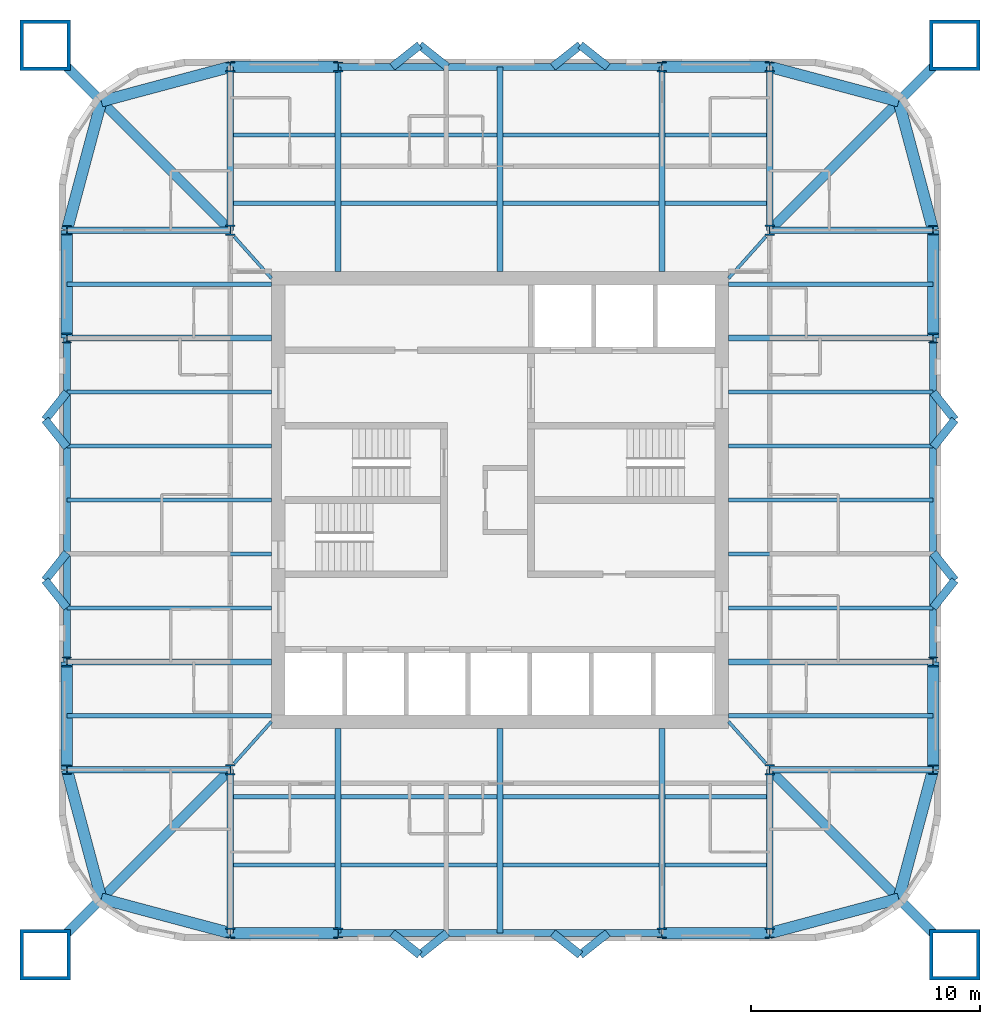
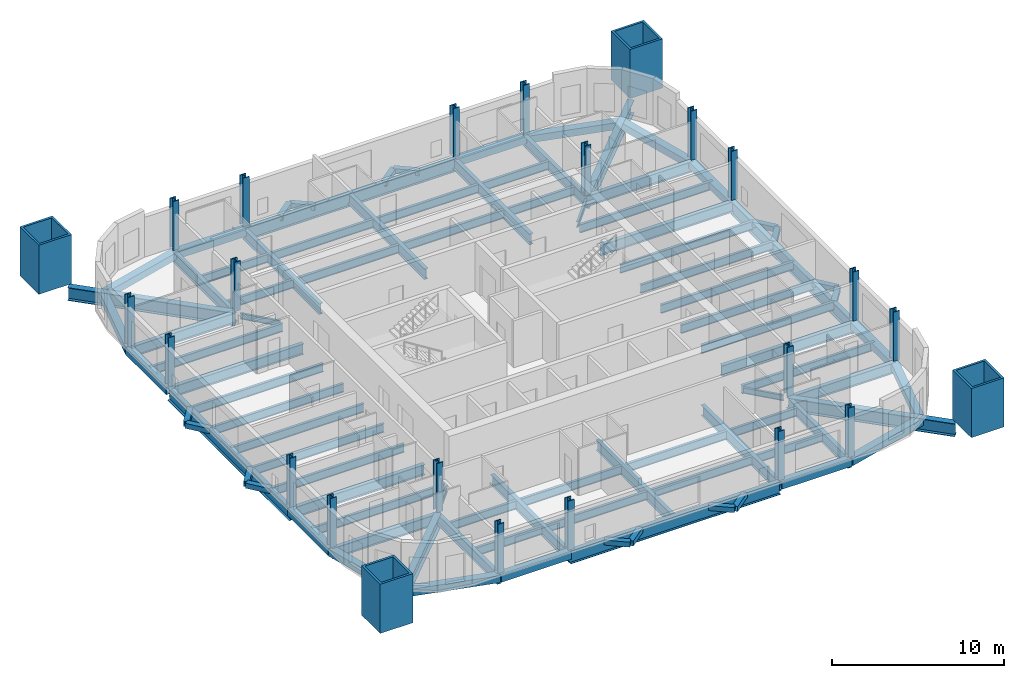
# One storey, part 1 of 8: 92 beams, 24 columns.
"""IFC4 building model written with IfcOpenShell, lengths in metres."""

import ifcopenshell
import ifcopenshell.guid

model = None  # the IFC model being written
_history = None  # IfcOwnerHistory: only IFC2X3 demands one
_inside = {}  # id of a spatial element -> (the spatial element, [elements in it])
_under = {}  # id of a project, library or spatial element -> (it, [spatial elements below it])
_declared = {}  # id of a project -> (the project, [libraries it declares])
_typed = {}  # id of a type object -> (the type object, [elements of that type])
_made_of = {}  # id of a material, layer set ... -> (it, [elements and type objects made of it])


def new_model(schema):
    """Start an empty IFC model of exactly this schema.

    Asked for "IFC4X3", IfcOpenShell would pick the latest addendum, in which some entities
    have other attributes; the version numbers below select the first issue.
    IFC2X3 requires an IfcOwnerHistory on every rooted entity: one is made here for all.
    """
    global model, _history
    if schema == "IFC4X3":
        model = ifcopenshell.file(schema_version=(4, 3, 0, 0))
    else:
        model = ifcopenshell.file(schema=schema)
    _inside.clear()
    _under.clear()
    _declared.clear()
    _typed.clear()
    _made_of.clear()
    _history = None
    if model.schema == "IFC2X3":
        org = make("IfcOrganization", Name="unknown")
        user = make(
            "IfcPersonAndOrganization",
            ThePerson=make("IfcPerson", FamilyName="unknown"),
            TheOrganization=org,
        )
        app = make(
            "IfcApplication",
            ApplicationDeveloper=org,
            Version="unknown",
            ApplicationFullName="unknown",
            ApplicationIdentifier="unknown",
        )
        _history = make(
            "IfcOwnerHistory",
            OwningUser=user,
            OwningApplication=app,
            ChangeAction="ADDED",
            CreationDate=0,
        )
    return model


def make(cls, **values):
    """One entity of the class cls with the attributes given. An attribute that is None is left unset."""
    return model.create_entity(
        cls, **{name: value for name, value in values.items() if value is not None}
    )


def rooted(cls, **values):
    """An entity with a GlobalId (a new one), such as an element, a storey or a relation."""
    return make(cls, GlobalId=ifcopenshell.guid.new(), OwnerHistory=_history, **values)


def si_unit(unit_type, name, prefix=None):
    """IfcSIUnit, for example si_unit("LENGTHUNIT", "METRE", prefix="MILLI")."""
    return make("IfcSIUnit", UnitType=unit_type, Prefix=prefix, Name=name)


def assignment(units):
    """IfcUnitAssignment: the units of a project."""
    return None if units is None else make("IfcUnitAssignment", Units=units)


def point(xyz):
    """IfcCartesianPoint."""
    return None if xyz is None else make("IfcCartesianPoint", Coordinates=xyz)


def direction(xyz):
    """IfcDirection."""
    return None if xyz is None else make("IfcDirection", DirectionRatios=xyz)


def frame(location, z_axis=None, x_axis=None):
    """IfcAxis2Placement3D, a coordinate frame: its origin and axes. An axis left out is left unset."""
    return make(
        "IfcAxis2Placement3D",
        Location=point(location),
        Axis=direction(z_axis),
        RefDirection=direction(x_axis),
    )


def frame_2d(location, x_axis=None):
    """IfcAxis2Placement2D, a coordinate frame in the plane: its origin and x axis."""
    return make(
        "IfcAxis2Placement2D", Location=point(location), RefDirection=direction(x_axis)
    )


def origin():
    """The frame at (0, 0, 0) with its axes left unset."""
    return frame((0.0, 0.0, 0.0))


def origin_2d():
    """The frame at (0, 0) in the plane with its x axis left unset."""
    return frame_2d((0.0, 0.0))


def place(relative_to, where):
    """IfcLocalPlacement: puts the frame where relative to a parent placement (None: the world)."""
    return make(
        "IfcLocalPlacement", PlacementRelTo=relative_to, RelativePlacement=where
    )


def context(
    kind, dimensions, precision=None, world=None, true_north=None, identifier=None
):
    """IfcGeometricRepresentationContext, for example the 3D "Model" context."""
    return make(
        "IfcGeometricRepresentationContext",
        ContextIdentifier=identifier,
        ContextType=kind,
        CoordinateSpaceDimension=dimensions,
        Precision=precision,
        WorldCoordinateSystem=world,
        TrueNorth=true_north,
    )


def subcontext(parent, identifier, kind, view, scale=None):
    """IfcGeometricRepresentationSubContext, for example "Body" below "Model"."""
    return make(
        "IfcGeometricRepresentationSubContext",
        ContextIdentifier=identifier,
        ContextType=kind,
        ParentContext=parent,
        TargetScale=scale,
        TargetView=view,
    )


def project(units=None, contexts=None):
    """IfcProject with its units and contexts."""
    return rooted(
        "IfcProject",
        Name="project",
        RepresentationContexts=contexts,
        UnitsInContext=assignment(units),
    )


def spatial(cls, under=None, at=None, **own):
    """A site, building, storey or space (cls), placed at a placement, below another one or the project."""
    s = rooted(cls, ObjectPlacement=at, **own)
    if under is not None:
        _under.setdefault(under.id(), (under, []))[1].append(s)
    return s


def profile(cls, at=None, kind="AREA", **sizes):
    """A parametric profile (cls). Its sizes go by their IFC names, for example OverallWidth=200.0."""
    return make(cls, ProfileType=kind, Position=at, **sizes)


def hollow_rectangle(**sizes):
    """IfcRectangleHollowProfileDef."""
    return profile("IfcRectangleHollowProfileDef", **sizes)


def i_section(**sizes):
    """IfcIShapeProfileDef."""
    return profile("IfcIShapeProfileDef", **sizes)


def extrude(swept, where, along, depth):
    """IfcExtrudedAreaSolid: the profile swept, set in the frame where, extruded along a direction by depth."""
    return make(
        "IfcExtrudedAreaSolid",
        SweptArea=swept,
        Position=where,
        ExtrudedDirection=direction(along),
        Depth=depth,
    )


def shape(context_of_items, identifier, shape_type, items):
    """IfcShapeRepresentation: the items that make up one representation, for example the "Body"."""
    return make(
        "IfcShapeRepresentation",
        ContextOfItems=context_of_items,
        RepresentationIdentifier=identifier,
        RepresentationType=shape_type,
        Items=items,
    )


def material(Name=None, Category=None):
    """IfcMaterial."""
    return make("IfcMaterial", Name=Name, Category=Category)


def material_profile(
    of_material, cross_section, Name=None, Category=None, Priority=None
):
    """IfcMaterialProfile: a cross section and its material."""
    return make(
        "IfcMaterialProfile",
        Name=Name,
        Material=of_material,
        Profile=cross_section,
        Priority=Priority,
        Category=Category,
    )


def profile_set(profiles, Name=None, composite=None):
    """IfcMaterialProfileSet."""
    return make(
        "IfcMaterialProfileSet",
        Name=Name,
        MaterialProfiles=profiles,
        CompositeProfile=composite,
    )


def made_of(thing, what):
    """Note that an element or type object is made of a material, layer set ...; save() writes the relation."""
    if what is not None:
        _made_of.setdefault(what.id(), (what, []))[1].append(thing)
    return thing


def type_object(cls, material=None, **own):
    """A type object (cls), such as IfcWallType, which elements share."""
    return made_of(rooted(cls, **own), material)


def element(
    cls,
    number,
    at=None,
    inside=None,
    cuts=None,
    type_object=None,
    material=None,
    context=None,
    identifier="Body",
    shape_type=None,
    held_by="IfcProductDefinitionShape",
    body=None,
    shapes=None,
    **own,
):
    """One element of the class cls, such as IfcWall. Its Tag is "e" and its number.

    at: its placement. inside: the storey or other place that contains it. cuts: it is an
    opening in that element (IfcRelVoidsElement). A single representation is given by context,
    identifier, shape_type and body (its items); several are given by shapes. held_by: the class
    of the entity that holds the representations. save() writes the other relations.
    """
    e = rooted(cls, Tag="e%d" % number, ObjectPlacement=at, **own)
    if body is not None:
        shapes = [shape(context, identifier, shape_type, body)]
    if shapes is not None:
        e.Representation = make(held_by, Representations=shapes)
    if inside is not None:
        _inside.setdefault(inside.id(), (inside, []))[1].append(e)
    if cuts is not None:
        rooted(
            "IfcRelVoidsElement", RelatingBuildingElement=cuts, RelatedOpeningElement=e
        )
    if type_object is not None:
        _typed.setdefault(type_object.id(), (type_object, []))[1].append(e)
    return made_of(e, material)


def aggregate(whole, parts):
    """IfcRelAggregates: a whole, such as a stair, and the parts it consists of."""
    return rooted("IfcRelAggregates", RelatingObject=whole, RelatedObjects=parts)


def save(model, path):
    """Write the relations noted so far, then the file.

    IfcRelAggregates (storeys below a building ...), IfcRelContainedInSpatialStructure (elements
    in a storey), IfcRelDefinesByType, IfcRelAssociatesMaterial and IfcRelDeclares: one each for
    every whole, place, type object, material and project.
    """
    for whole, parts in _under.values():
        aggregate(whole, parts)
    for where, things in _inside.values():
        rooted(
            "IfcRelContainedInSpatialStructure",
            RelatedElements=things,
            RelatingStructure=where,
        )
    for kind, things in _typed.values():
        rooted("IfcRelDefinesByType", RelatedObjects=things, RelatingType=kind)
    for what, things in _made_of.values():
        rooted("IfcRelAssociatesMaterial", RelatedObjects=things, RelatingMaterial=what)
    for by, libraries in _declared.values():
        rooted("IfcRelDeclares", RelatingContext=by, RelatedDefinitions=libraries)
    model.write(path)


model = new_model("IFC4")

# Units and contexts
model_context = context("Model", 3, precision=1e-05, world=origin(), true_north=direction((0.0, 1.0)))
body_context = subcontext(model_context, "Body", "Model", "MODEL_VIEW")
ifc_project = project(units=[si_unit("LENGTHUNIT", "METRE"), si_unit("AREAUNIT", "SQUARE_METRE"), si_unit("VOLUMEUNIT", "CUBIC_METRE"), si_unit("PLANEANGLEUNIT", "RADIAN"), si_unit("MASSUNIT", "GRAM", prefix="KILO")], contexts=[model_context])

# Site, building, storey
site_placement = place(None, origin())
site = spatial("IfcSite", under=ifc_project, at=site_placement, CompositionType="ELEMENT")
building_placement = place(site_placement, origin())
building = spatial("IfcBuilding", under=site, at=building_placement, Name="Turquesa Mirador Hotel Tower", CompositionType="ELEMENT")
storey_placement = place(building_placement, frame((0.0, 0.0, 196.800048828125)))
storey = spatial("IfcBuildingStorey", under=building, at=storey_placement, Name="L53", CompositionType="ELEMENT", Elevation=196.800048828125)

# Columns
ifc_material_1 = material(Name="Steel ASTM A992 Grade 50", Category="steel")
ifc_material_profile_1 = material_profile(ifc_material_1, i_section(OverallWidth=0.411376953125, OverallDepth=0.434326171875, WebThickness=0.035888671875, FlangeThickness=0.057373046875, at=origin_2d()), Name="W14X311")
ifc_profile_set_1 = profile_set([ifc_material_profile_1], Name="Steel ASTM A992 Grade 50")
column_type_1 = type_object("IfcColumnType", Name="COLUMN W14X311", PredefinedType="COLUMN", material=ifc_profile_set_1)
for number, where, z_axis, x_axis, name in (
    (1, (36.050048828125, 33.199951171875, 0.0), (0.0, 0.0, 1.0), (1.0, 0.0, 0.0), "COL-L53-P--18.95--11.80"),
    (2, (36.050048828125, 37.919921875, 0.0), (0.0, 0.0, 1.0), (1.0, 0.0, 0.0), "COL-L53-P--18.95--7.08"),
    (3, (36.050048828125, 52.080078125, 0.0), (0.0, 0.0, 1.0), (1.0, 0.0, 0.0), "COL-L53-P--18.95-+7.08"),
    (4, (36.050048828125, 56.800048828125, 0.0), (0.0, 0.0, 1.0), (1.0, 0.0, 0.0), "COL-L53-P--18.95-+11.80"),
    (5, (43.199951171875, 26.050048828125, 0.0), (0.0, 0.0, 1.0), (1.0, 0.0, 0.0), "COL-L53-P--11.80--18.95"),
    (6, (43.199951171875, 63.949951171875, 0.0), (0.0, 0.0, 1.0), (1.0, 0.0, 0.0), "COL-L53-P--11.80-+18.95"),
    (7, (47.919921875, 26.050048828125, 0.0), (0.0, 0.0, 1.0), (1.0, 0.0, 0.0), "COL-L53-P--7.08--18.95"),
    (8, (47.919921875, 63.949951171875, 0.0), (0.0, 0.0, 1.0), (1.0, 0.0, 0.0), "COL-L53-P--7.08-+18.95"),
    (9, (62.080078125, 26.050048828125, 0.0), (0.0, 0.0, 1.0), (1.0, 0.0, 0.0), "COL-L53-P-+7.08--18.95"),
    (10, (62.080078125, 63.949951171875, 0.0), (0.0, 0.0, 1.0), (1.0, 0.0, 0.0), "COL-L53-P-+7.08-+18.95"),
    (11, (66.800048828125, 26.050048828125, 0.0), (0.0, 0.0, 1.0), (1.0, 0.0, 0.0), "COL-L53-P-+11.80--18.95"),
    (12, (66.800048828125, 63.949951171875, 0.0), (0.0, 0.0, 1.0), (1.0, 0.0, 0.0), "COL-L53-P-+11.80-+18.95"),
    (13, (73.949951171875, 33.199951171875, 0.0), (0.0, 0.0, 1.0), (1.0, 0.0, 0.0), "COL-L53-P-+18.95--11.80"),
    (14, (73.949951171875, 37.919921875, 0.0), (0.0, 0.0, 1.0), (1.0, 0.0, 0.0), "COL-L53-P-+18.95--7.08"),
    (15, (73.949951171875, 52.080078125, 0.0), (0.0, 0.0, 1.0), (1.0, 0.0, 0.0), "COL-L53-P-+18.95-+7.08"),
    (16, (73.949951171875, 56.800048828125, 0.0), (0.0, 0.0, 1.0), (1.0, 0.0, 0.0), "COL-L53-P-+18.95-+11.80"),
):
    element("IfcColumn", number, at=place(storey_placement, frame(where, z_axis=z_axis, x_axis=x_axis)), inside=storey, type_object=column_type_1, Name=name, PredefinedType="COLUMN", context=body_context, shape_type="SweptSolid", body=[
        extrude(i_section(OverallWidth=0.411376953125, OverallDepth=0.434326171875, WebThickness=0.035888671875, FlangeThickness=0.057373046875, at=origin_2d()), origin(), (0.0, 0.0, 1.0), 3.5),
    ])
ifc_material_2 = material(Name="Steel ASTM A992 Grade 50", Category="steel")
ifc_material_profile_2 = material_profile(ifc_material_2, i_section(OverallWidth=0.421630859375, OverallDepth=0.46484375, WebThickness=0.044921875, FlangeThickness=0.072509765625, at=origin_2d()), Name="W14X398")
ifc_profile_set_2 = profile_set([ifc_material_profile_2], Name="Steel ASTM A992 Grade 50")
column_type_2 = type_object("IfcColumnType", Name="COLUMN W14X398", PredefinedType="COLUMN", material=ifc_profile_set_2)
for number, where, z_axis, x_axis, name in (
    (17, (43.199951171875, 33.199951171875, 0.0), (0.0, 0.0, 1.0), (1.0, 0.0, 0.0), "COL-L53-K--11.80--11.80"),
    (18, (43.199951171875, 56.800048828125, 0.0), (0.0, 0.0, 1.0), (1.0, 0.0, 0.0), "COL-L53-K--11.80-+11.80"),
    (19, (66.800048828125, 33.199951171875, 0.0), (0.0, 0.0, 1.0), (1.0, 0.0, 0.0), "COL-L53-K-+11.80--11.80"),
    (20, (66.800048828125, 56.800048828125, 0.0), (0.0, 0.0, 1.0), (1.0, 0.0, 0.0), "COL-L53-K-+11.80-+11.80"),
):
    element("IfcColumn", number, at=place(storey_placement, frame(where, z_axis=z_axis, x_axis=x_axis)), inside=storey, type_object=column_type_2, Name=name, PredefinedType="COLUMN", context=body_context, shape_type="SweptSolid", body=[
        extrude(i_section(OverallWidth=0.421630859375, OverallDepth=0.46484375, WebThickness=0.044921875, FlangeThickness=0.072509765625, at=origin_2d()), origin(), (0.0, 0.0, 1.0), 3.5),
    ])
ifc_material_3 = material(Name="Steel ASTM A514 Grade Q", Category="steel")
ifc_material_profile_3 = material_profile(ifc_material_3, hollow_rectangle(XDim=2.199951171875, YDim=2.199951171875, WallThickness=0.14990234375, at=origin_2d()), Name="BOX2200X2200X150")
ifc_profile_set_3 = profile_set([ifc_material_profile_3], Name="Steel ASTM A514 Grade Q")
column_type_3 = type_object("IfcColumnType", Name="MEGA COLUMN BOX2200X2200X150", PredefinedType="COLUMN", material=ifc_profile_set_3)
for number, where, z_axis, x_axis, name in (
    (21, (74.89990234375, 64.89990234375, 0.0), (0.0, 0.0, 1.0), (1.0, 0.0, 0.0), "Mega column M1"),
    (22, (35.10009765625, 64.89990234375, 0.0), (0.0, 0.0, 1.0), (1.0, 0.0, 0.0), "Mega column M2"),
    (23, (35.10009765625, 25.10009765625, 0.0), (0.0, 0.0, 1.0), (1.0, 0.0, 0.0), "Mega column M3"),
    (24, (74.89990234375, 25.10009765625, 0.0), (0.0, 0.0, 1.0), (1.0, 0.0, 0.0), "Mega column M4"),
):
    element("IfcColumn", number, at=place(storey_placement, frame(where, z_axis=z_axis, x_axis=x_axis)), inside=storey, type_object=column_type_3, Name=name, PredefinedType="COLUMN", context=body_context, shape_type="SweptSolid", body=[
        extrude(hollow_rectangle(XDim=2.199951171875, YDim=2.199951171875, WallThickness=0.14990234375, at=origin_2d()), origin(), (0.0, 0.0, 1.0), 3.5),
    ])

# Beams
ifc_material_4 = material(Name="Steel ASTM A572 Grade 50", Category="steel")
ifc_material_profile_4 = material_profile(ifc_material_4, hollow_rectangle(XDim=0.5, YDim=0.5, WallThickness=0.01611328125, at=origin_2d()), Name="BOX500X500X16")
ifc_profile_set_4 = profile_set([ifc_material_profile_4], Name="Steel ASTM A572 Grade 50")
beam_type_1 = type_object("IfcBeamType", Name="BEAM BOX500X500X16", PredefinedType="BEAM", material=ifc_profile_set_4)
for number, where, z_axis, x_axis, name in (
    (25, (43.199951171875, 63.949951171875, -0.420166015625), (1.0, 0.0, 0.0), (0.0, 1.0, 0.0), "EB-L53-N-L"),
    (26, (62.080078125, 63.949951171875, -0.420166015625), (1.0, 0.0, 0.0), (0.0, 1.0, 0.0), "EB-L53-N-R"),
    (27, (43.199951171875, 26.050048828125, -0.420166015625), (1.0, 0.0, 0.0), (0.0, 1.0, 0.0), "EB-L53-S-L"),
    (28, (62.080078125, 26.050048828125, -0.420166015625), (1.0, 0.0, 0.0), (0.0, 1.0, 0.0), "EB-L53-S-R"),
    (29, (73.949951171875, 33.199951171875, -0.420166015625), (0.0, 1.0, 0.0), (-1.0, 0.0, 0.0), "EB-L53-E-L"),
    (30, (73.949951171875, 52.080078125, -0.420166015625), (0.0, 1.0, 0.0), (-1.0, 0.0, 0.0), "EB-L53-E-R"),
    (31, (36.050048828125, 33.199951171875, -0.420166015625), (0.0, 1.0, 0.0), (-1.0, 0.0, 0.0), "EB-L53-W-L"),
    (32, (36.050048828125, 52.080078125, -0.420166015625), (0.0, 1.0, 0.0), (-1.0, 0.0, 0.0), "EB-L53-W-R"),
):
    element("IfcBeam", number, at=place(storey_placement, frame(where, z_axis=z_axis, x_axis=x_axis)), inside=storey, type_object=beam_type_1, Name=name, PredefinedType="BEAM", context=body_context, shape_type="SweptSolid", body=[
        extrude(hollow_rectangle(XDim=0.5, YDim=0.5, WallThickness=0.01611328125, at=origin_2d()), origin(), (0.0, 0.0, 1.0), 4.719970703125),
    ])
for number, where, z_axis, x_axis, name in (
    (33, (73.949951171875, 56.800048828125, -0.420166015625), (-0.258281892145, 0.966069595935, 0.0), (-0.966069595935, -0.258281892145, 0.0), "KE-L53-1-0"),
    (34, (72.441650390625, 62.441650390625, -0.420166015625), (-0.966069595935, 0.258281892145, 0.0), (-0.258281892145, -0.966069595935, 0.0), "KE-L53-1-1"),
    (35, (36.050048828125, 56.800048828125, -0.420166015625), (0.258281892145, 0.966069595935, 0.0), (-0.966069595935, 0.258281892145, 0.0), "KE-L53-2-0"),
    (36, (37.558349609375, 62.441650390625, -0.420166015625), (0.966069595935, 0.258281892145, 0.0), (-0.258281892145, 0.966069595935, 0.0), "KE-L53-2-1"),
    (37, (36.050048828125, 33.199951171875, -0.420166015625), (0.258281892145, -0.966069595935, 0.0), (0.966069595935, 0.258281892145, 0.0), "KE-L53-3-0"),
    (38, (37.558349609375, 27.558349609375, -0.420166015625), (0.966069595935, -0.258281892145, 0.0), (0.258281892145, 0.966069595935, 0.0), "KE-L53-3-1"),
    (39, (73.949951171875, 33.199951171875, -0.420166015625), (-0.258281892145, -0.966069595935, 0.0), (0.966069595935, -0.258281892145, 0.0), "KE-L53-4-0"),
    (40, (72.441650390625, 27.558349609375, -0.420166015625), (-0.966069595935, -0.258281892145, 0.0), (0.258281892145, -0.966069595935, 0.0), "KE-L53-4-1"),
):
    element("IfcBeam", number, at=place(storey_placement, frame(where, z_axis=z_axis, x_axis=x_axis)), inside=storey, type_object=beam_type_1, Name=name, PredefinedType="BEAM", context=body_context, shape_type="SweptSolid", body=[
        extrude(hollow_rectangle(XDim=0.5, YDim=0.5, WallThickness=0.01611328125, at=origin_2d()), origin(), (0.0, 0.0, 1.0), 5.83984375),
    ])
ifc_material_5 = material(Name="Steel ASTM A992 Grade 50", Category="steel")
ifc_material_profile_5 = material_profile(ifc_material_5, i_section(OverallWidth=0.140380859375, OverallDepth=0.40380859375, WebThickness=0.007080078125, FlangeThickness=0.01123046875, at=origin_2d()), Name="W16X31")
ifc_profile_set_5 = profile_set([ifc_material_profile_5], Name="Steel ASTM A992 Grade 50")
beam_type_2 = type_object("IfcBeamType", Name="BEAM W16X31", PredefinedType="BEAM", material=ifc_profile_set_5)
for number, where, z_axis, x_axis, name in (
    (41, (66.634765625, 56.527099609375, -0.3720703125), (-0.666783216266, -0.745251730964, 0.0), (0.745251730964, -0.666783216266, 0.0), "KT-L53-1"),
    (42, (43.365234375, 56.527099609375, -0.3720703125), (0.666783216266, -0.745251730964, 0.0), (0.745251730964, 0.666783216266, 0.0), "KT-L53-2"),
    (43, (43.365234375, 33.472900390625, -0.3720703125), (0.666783216266, 0.745251730964, 0.0), (-0.745251730964, 0.666783216266, 0.0), "KT-L53-3"),
    (44, (66.634765625, 33.472900390625, -0.3720703125), (-0.666783216266, 0.745251730964, 0.0), (-0.745251730964, -0.666783216266, 0.0), "KT-L53-4"),
):
    element("IfcBeam", number, at=place(storey_placement, frame(where, z_axis=z_axis, x_axis=x_axis)), inside=storey, type_object=beam_type_2, Name=name, PredefinedType="BEAM", context=body_context, shape_type="SweptSolid", body=[
        extrude(i_section(OverallWidth=0.140380859375, OverallDepth=0.40380859375, WebThickness=0.007080078125, FlangeThickness=0.01123046875, at=origin_2d()), origin(), (0.0, 0.0, 1.0), 2.45166015625),
    ])
ifc_material_6 = material(Name="Steel ASTM A992 Grade 50", Category="steel")
ifc_material_profile_6 = material_profile(ifc_material_6, i_section(OverallWidth=0.177978515625, OverallDepth=0.599365234375, WebThickness=0.010009765625, FlangeThickness=0.012939453125, at=origin_2d()), Name="W24X55")
ifc_profile_set_6 = profile_set([ifc_material_profile_6], Name="Steel ASTM A992 Grade 50")
beam_type_3 = type_object("IfcBeamType", Name="BEAM W24X55", PredefinedType="BEAM", material=ifc_profile_set_6)
beam_1_placement = place(storey_placement, frame((43.333251953125, 57.98291015625, -0.4697265625), z_axis=(1.0, 0.0, 0.0), x_axis=(0.0, 1.0, 0.0)))
element("IfcBeam", 45, at=beam_1_placement, inside=storey, type_object=beam_type_3, Name="IB-L53-N-1-0", PredefinedType="BEAM", context=body_context, shape_type="SweptSolid", body=[
    extrude(i_section(OverallWidth=0.177978515625, OverallDepth=0.599365234375, WebThickness=0.010009765625, FlangeThickness=0.012939453125, at=origin_2d()), origin(), (0.0, 0.0, 1.0), 4.453369140625),
])
for number, where, z_axis, x_axis, name in (
    (46, (48.053466796875, 57.98291015625, -0.4697265625), (1.0, 0.0, 0.0), (0.0, 1.0, 0.0), "IB-L53-N-1-1"),
    (47, (55.13330078125, 57.98291015625, -0.4697265625), (1.0, 0.0, 0.0), (0.0, 1.0, 0.0), "IB-L53-N-1-2"),
):
    element("IfcBeam", number, at=place(storey_placement, frame(where, z_axis=z_axis, x_axis=x_axis)), inside=storey, type_object=beam_type_3, Name=name, PredefinedType="BEAM", context=body_context, shape_type="SweptSolid", body=[
        extrude(i_section(OverallWidth=0.177978515625, OverallDepth=0.599365234375, WebThickness=0.010009765625, FlangeThickness=0.012939453125, at=origin_2d()), origin(), (0.0, 0.0, 1.0), 6.813232421875),
    ])
for number, where, z_axis, x_axis, name in (
    (48, (62.21337890625, 57.98291015625, -0.4697265625), (1.0, 0.0, 0.0), (0.0, 1.0, 0.0), "IB-L53-N-1-3"),
    (49, (43.333251953125, 60.967041015625, -0.4697265625), (1.0, 0.0, 0.0), (0.0, 1.0, 0.0), "IB-L53-N-2-0"),
):
    element("IfcBeam", number, at=place(storey_placement, frame(where, z_axis=z_axis, x_axis=x_axis)), inside=storey, type_object=beam_type_3, Name=name, PredefinedType="BEAM", context=body_context, shape_type="SweptSolid", body=[
        extrude(i_section(OverallWidth=0.177978515625, OverallDepth=0.599365234375, WebThickness=0.010009765625, FlangeThickness=0.012939453125, at=origin_2d()), origin(), (0.0, 0.0, 1.0), 4.453369140625),
    ])
for number, where, z_axis, x_axis, name in (
    (50, (48.053466796875, 60.967041015625, -0.4697265625), (1.0, 0.0, 0.0), (0.0, 1.0, 0.0), "IB-L53-N-2-1"),
    (51, (55.13330078125, 60.967041015625, -0.4697265625), (1.0, 0.0, 0.0), (0.0, 1.0, 0.0), "IB-L53-N-2-2"),
):
    element("IfcBeam", number, at=place(storey_placement, frame(where, z_axis=z_axis, x_axis=x_axis)), inside=storey, type_object=beam_type_3, Name=name, PredefinedType="BEAM", context=body_context, shape_type="SweptSolid", body=[
        extrude(i_section(OverallWidth=0.177978515625, OverallDepth=0.599365234375, WebThickness=0.010009765625, FlangeThickness=0.012939453125, at=origin_2d()), origin(), (0.0, 0.0, 1.0), 6.813232421875),
    ])
for number, where, z_axis, x_axis, name in (
    (52, (62.21337890625, 60.967041015625, -0.4697265625), (1.0, 0.0, 0.0), (0.0, 1.0, 0.0), "IB-L53-N-2-3"),
    (53, (43.333251953125, 32.01708984375, -0.4697265625), (1.0, 0.0, 0.0), (0.0, 1.0, 0.0), "IB-L53-S-1-0"),
):
    element("IfcBeam", number, at=place(storey_placement, frame(where, z_axis=z_axis, x_axis=x_axis)), inside=storey, type_object=beam_type_3, Name=name, PredefinedType="BEAM", context=body_context, shape_type="SweptSolid", body=[
        extrude(i_section(OverallWidth=0.177978515625, OverallDepth=0.599365234375, WebThickness=0.010009765625, FlangeThickness=0.012939453125, at=origin_2d()), origin(), (0.0, 0.0, 1.0), 4.453369140625),
    ])
for number, where, z_axis, x_axis, name in (
    (54, (48.053466796875, 32.01708984375, -0.4697265625), (1.0, 0.0, 0.0), (0.0, 1.0, 0.0), "IB-L53-S-1-1"),
    (55, (55.13330078125, 32.01708984375, -0.4697265625), (1.0, 0.0, 0.0), (0.0, 1.0, 0.0), "IB-L53-S-1-2"),
):
    element("IfcBeam", number, at=place(storey_placement, frame(where, z_axis=z_axis, x_axis=x_axis)), inside=storey, type_object=beam_type_3, Name=name, PredefinedType="BEAM", context=body_context, shape_type="SweptSolid", body=[
        extrude(i_section(OverallWidth=0.177978515625, OverallDepth=0.599365234375, WebThickness=0.010009765625, FlangeThickness=0.012939453125, at=origin_2d()), origin(), (0.0, 0.0, 1.0), 6.813232421875),
    ])
for number, where, z_axis, x_axis, name in (
    (56, (62.21337890625, 32.01708984375, -0.4697265625), (1.0, 0.0, 0.0), (0.0, 1.0, 0.0), "IB-L53-S-1-3"),
    (57, (43.333251953125, 29.032958984375, -0.4697265625), (1.0, 0.0, 0.0), (0.0, 1.0, 0.0), "IB-L53-S-2-0"),
):
    element("IfcBeam", number, at=place(storey_placement, frame(where, z_axis=z_axis, x_axis=x_axis)), inside=storey, type_object=beam_type_3, Name=name, PredefinedType="BEAM", context=body_context, shape_type="SweptSolid", body=[
        extrude(i_section(OverallWidth=0.177978515625, OverallDepth=0.599365234375, WebThickness=0.010009765625, FlangeThickness=0.012939453125, at=origin_2d()), origin(), (0.0, 0.0, 1.0), 4.453369140625),
    ])
for number, where, z_axis, x_axis, name in (
    (58, (48.053466796875, 29.032958984375, -0.4697265625), (1.0, 0.0, 0.0), (0.0, 1.0, 0.0), "IB-L53-S-2-1"),
    (59, (55.13330078125, 29.032958984375, -0.4697265625), (1.0, 0.0, 0.0), (0.0, 1.0, 0.0), "IB-L53-S-2-2"),
):
    element("IfcBeam", number, at=place(storey_placement, frame(where, z_axis=z_axis, x_axis=x_axis)), inside=storey, type_object=beam_type_3, Name=name, PredefinedType="BEAM", context=body_context, shape_type="SweptSolid", body=[
        extrude(i_section(OverallWidth=0.177978515625, OverallDepth=0.599365234375, WebThickness=0.010009765625, FlangeThickness=0.012939453125, at=origin_2d()), origin(), (0.0, 0.0, 1.0), 6.813232421875),
    ])
beam_2_placement = place(storey_placement, frame((62.21337890625, 29.032958984375, -0.4697265625), z_axis=(1.0, 0.0, 0.0), x_axis=(0.0, 1.0, 0.0)))
element("IfcBeam", 60, at=beam_2_placement, inside=storey, type_object=beam_type_3, Name="IB-L53-S-2-3", PredefinedType="BEAM", context=body_context, shape_type="SweptSolid", body=[
    extrude(i_section(OverallWidth=0.177978515625, OverallDepth=0.599365234375, WebThickness=0.010009765625, FlangeThickness=0.012939453125, at=origin_2d()), origin(), (0.0, 0.0, 1.0), 4.453369140625),
])
for number, where, z_axis, x_axis, name in (
    (61, (73.949951171875, 35.56005859375, -0.4697265625), (-1.0, 0.0, 0.0), (0.0, -1.0, 0.0), "BM-L53-E--9.44"),
    (62, (73.949951171875, 40.280029296875, -0.4697265625), (-1.0, 0.0, 0.0), (0.0, -1.0, 0.0), "BM-L53-E--4.72"),
    (63, (73.949951171875, 42.639892578125, -0.4697265625), (-1.0, 0.0, 0.0), (0.0, -1.0, 0.0), "BM-L53-E--2.36"),
    (64, (73.949951171875, 45.0, -0.4697265625), (-1.0, 0.0, 0.0), (0.0, -1.0, 0.0), "BM-L53-E-+0.00"),
    (65, (73.949951171875, 47.360107421875, -0.4697265625), (-1.0, 0.0, 0.0), (0.0, -1.0, 0.0), "BM-L53-E-+2.36"),
    (66, (73.949951171875, 49.719970703125, -0.4697265625), (-1.0, 0.0, 0.0), (0.0, -1.0, 0.0), "BM-L53-E-+4.72"),
    (67, (73.949951171875, 54.43994140625, -0.4697265625), (-1.0, 0.0, 0.0), (0.0, -1.0, 0.0), "BM-L53-E-+9.44"),
    (68, (36.050048828125, 35.56005859375, -0.4697265625), (1.0, 0.0, 0.0), (0.0, 1.0, 0.0), "BM-L53-W--9.44"),
    (69, (36.050048828125, 40.280029296875, -0.4697265625), (1.0, 0.0, 0.0), (0.0, 1.0, 0.0), "BM-L53-W--4.72"),
    (70, (36.050048828125, 42.639892578125, -0.4697265625), (1.0, 0.0, 0.0), (0.0, 1.0, 0.0), "BM-L53-W--2.36"),
    (71, (36.050048828125, 45.0, -0.4697265625), (1.0, 0.0, 0.0), (0.0, 1.0, 0.0), "BM-L53-W-+0.00"),
    (72, (36.050048828125, 47.360107421875, -0.4697265625), (1.0, 0.0, 0.0), (0.0, 1.0, 0.0), "BM-L53-W-+2.36"),
    (73, (36.050048828125, 49.719970703125, -0.4697265625), (1.0, 0.0, 0.0), (0.0, 1.0, 0.0), "BM-L53-W-+4.72"),
    (74, (36.050048828125, 54.43994140625, -0.4697265625), (1.0, 0.0, 0.0), (0.0, 1.0, 0.0), "BM-L53-W-+9.44"),
):
    element("IfcBeam", number, at=place(storey_placement, frame(where, z_axis=z_axis, x_axis=x_axis)), inside=storey, type_object=beam_type_3, Name=name, PredefinedType="BEAM", context=body_context, shape_type="SweptSolid", body=[
        extrude(i_section(OverallWidth=0.177978515625, OverallDepth=0.599365234375, WebThickness=0.010009765625, FlangeThickness=0.012939453125, at=origin_2d()), origin(), (0.0, 0.0, 1.0), 8.949951171875),
    ])
ifc_material_7 = material(Name="Steel ASTM A992 Grade 50", Category="steel")
ifc_material_profile_7 = material_profile(ifc_material_7, i_section(OverallWidth=0.2666015625, OverallDepth=0.7568359375, WebThickness=0.013916015625, FlangeThickness=0.019287109375, at=origin_2d()), Name="W30X108")
ifc_profile_set_7 = profile_set([ifc_material_profile_7], Name="Steel ASTM A992 Grade 50")
beam_type_4 = type_object("IfcBeamType", Name="BEAM W30X108", PredefinedType="BEAM", material=ifc_profile_set_7)
for number, where, z_axis, x_axis, name in (
    (75, (47.919921875, 63.949951171875, -0.548583984375), (0.0, -1.0, 0.0), (1.0, 0.0, 0.0), "GD-L53-N--7.08"),
    (76, (62.080078125, 63.949951171875, -0.548583984375), (0.0, -1.0, 0.0), (1.0, 0.0, 0.0), "GD-L53-N-+7.08"),
    (77, (55.0, 63.949951171875, -0.548583984375), (0.0, -1.0, 0.0), (1.0, 0.0, 0.0), "GD-L53-N-+0.00"),
):
    element("IfcBeam", number, at=place(storey_placement, frame(where, z_axis=z_axis, x_axis=x_axis)), inside=storey, type_object=beam_type_4, Name=name, PredefinedType="BEAM", context=body_context, shape_type="SweptSolid", body=[
        extrude(i_section(OverallWidth=0.2666015625, OverallDepth=0.7568359375, WebThickness=0.013916015625, FlangeThickness=0.019287109375, at=origin_2d()), origin(), (0.0, 0.0, 1.0), 8.949951171875),
    ])
for number, where, z_axis, x_axis, name in (
    (78, (43.199951171875, 63.949951171875, -0.548583984375), (0.0, -1.0, 0.0), (1.0, 0.0, 0.0), "GK-L53-N--11.80"),
    (79, (66.800048828125, 63.949951171875, -0.548583984375), (0.0, -1.0, 0.0), (1.0, 0.0, 0.0), "GK-L53-N-+11.80"),
):
    element("IfcBeam", number, at=place(storey_placement, frame(where, z_axis=z_axis, x_axis=x_axis)), inside=storey, type_object=beam_type_4, Name=name, PredefinedType="BEAM", context=body_context, shape_type="SweptSolid", body=[
        extrude(i_section(OverallWidth=0.2666015625, OverallDepth=0.7568359375, WebThickness=0.013916015625, FlangeThickness=0.019287109375, at=origin_2d()), origin(), (0.0, 0.0, 1.0), 7.14990234375),
    ])
for number, where, z_axis, x_axis, name in (
    (80, (47.919921875, 26.050048828125, -0.548583984375), (0.0, 1.0, 0.0), (-1.0, 0.0, 0.0), "GD-L53-S--7.08"),
    (81, (62.080078125, 26.050048828125, -0.548583984375), (0.0, 1.0, 0.0), (-1.0, 0.0, 0.0), "GD-L53-S-+7.08"),
    (82, (55.0, 26.050048828125, -0.548583984375), (0.0, 1.0, 0.0), (-1.0, 0.0, 0.0), "GD-L53-S-+0.00"),
):
    element("IfcBeam", number, at=place(storey_placement, frame(where, z_axis=z_axis, x_axis=x_axis)), inside=storey, type_object=beam_type_4, Name=name, PredefinedType="BEAM", context=body_context, shape_type="SweptSolid", body=[
        extrude(i_section(OverallWidth=0.2666015625, OverallDepth=0.7568359375, WebThickness=0.013916015625, FlangeThickness=0.019287109375, at=origin_2d()), origin(), (0.0, 0.0, 1.0), 8.949951171875),
    ])
for number, where, z_axis, x_axis, name in (
    (83, (43.199951171875, 26.050048828125, -0.548583984375), (0.0, 1.0, 0.0), (-1.0, 0.0, 0.0), "GK-L53-S--11.80"),
    (84, (66.800048828125, 26.050048828125, -0.548583984375), (0.0, 1.0, 0.0), (-1.0, 0.0, 0.0), "GK-L53-S-+11.80"),
):
    element("IfcBeam", number, at=place(storey_placement, frame(where, z_axis=z_axis, x_axis=x_axis)), inside=storey, type_object=beam_type_4, Name=name, PredefinedType="BEAM", context=body_context, shape_type="SweptSolid", body=[
        extrude(i_section(OverallWidth=0.2666015625, OverallDepth=0.7568359375, WebThickness=0.013916015625, FlangeThickness=0.019287109375, at=origin_2d()), origin(), (0.0, 0.0, 1.0), 7.14990234375),
    ])
for number, where, z_axis, x_axis, name in (
    (85, (73.949951171875, 37.919921875, -0.548583984375), (-1.0, 0.0, 0.0), (0.0, -1.0, 0.0), "GD-L53-E--7.08"),
    (86, (73.949951171875, 52.080078125, -0.548583984375), (-1.0, 0.0, 0.0), (0.0, -1.0, 0.0), "GD-L53-E-+7.08"),
):
    element("IfcBeam", number, at=place(storey_placement, frame(where, z_axis=z_axis, x_axis=x_axis)), inside=storey, type_object=beam_type_4, Name=name, PredefinedType="BEAM", context=body_context, shape_type="SweptSolid", body=[
        extrude(i_section(OverallWidth=0.2666015625, OverallDepth=0.7568359375, WebThickness=0.013916015625, FlangeThickness=0.019287109375, at=origin_2d()), origin(), (0.0, 0.0, 1.0), 8.949951171875),
    ])
for number, where, z_axis, x_axis, name in (
    (87, (73.949951171875, 33.199951171875, -0.548583984375), (-1.0, 0.0, 0.0), (0.0, -1.0, 0.0), "GK-L53-E--11.80"),
    (88, (73.949951171875, 56.800048828125, -0.548583984375), (-1.0, 0.0, 0.0), (0.0, -1.0, 0.0), "GK-L53-E-+11.80"),
):
    element("IfcBeam", number, at=place(storey_placement, frame(where, z_axis=z_axis, x_axis=x_axis)), inside=storey, type_object=beam_type_4, Name=name, PredefinedType="BEAM", context=body_context, shape_type="SweptSolid", body=[
        extrude(i_section(OverallWidth=0.2666015625, OverallDepth=0.7568359375, WebThickness=0.013916015625, FlangeThickness=0.019287109375, at=origin_2d()), origin(), (0.0, 0.0, 1.0), 7.14990234375),
    ])
for number, where, z_axis, x_axis, name in (
    (89, (36.050048828125, 37.919921875, -0.548583984375), (1.0, 0.0, 0.0), (0.0, 1.0, 0.0), "GD-L53-W--7.08"),
    (90, (36.050048828125, 52.080078125, -0.548583984375), (1.0, 0.0, 0.0), (0.0, 1.0, 0.0), "GD-L53-W-+7.08"),
):
    element("IfcBeam", number, at=place(storey_placement, frame(where, z_axis=z_axis, x_axis=x_axis)), inside=storey, type_object=beam_type_4, Name=name, PredefinedType="BEAM", context=body_context, shape_type="SweptSolid", body=[
        extrude(i_section(OverallWidth=0.2666015625, OverallDepth=0.7568359375, WebThickness=0.013916015625, FlangeThickness=0.019287109375, at=origin_2d()), origin(), (0.0, 0.0, 1.0), 8.949951171875),
    ])
for number, where, z_axis, x_axis, name in (
    (91, (36.050048828125, 33.199951171875, -0.548583984375), (1.0, 0.0, 0.0), (0.0, 1.0, 0.0), "GK-L53-W--11.80"),
    (92, (36.050048828125, 56.800048828125, -0.548583984375), (1.0, 0.0, 0.0), (0.0, 1.0, 0.0), "GK-L53-W-+11.80"),
):
    element("IfcBeam", number, at=place(storey_placement, frame(where, z_axis=z_axis, x_axis=x_axis)), inside=storey, type_object=beam_type_4, Name=name, PredefinedType="BEAM", context=body_context, shape_type="SweptSolid", body=[
        extrude(i_section(OverallWidth=0.2666015625, OverallDepth=0.7568359375, WebThickness=0.013916015625, FlangeThickness=0.019287109375, at=origin_2d()), origin(), (0.0, 0.0, 1.0), 7.14990234375),
    ])
ifc_material_8 = material(Name="Steel ASTM A992 Grade 50", Category="steel")
ifc_material_profile_8 = material_profile(ifc_material_8, i_section(OverallWidth=0.3046875, OverallDepth=0.911865234375, WebThickness=0.015869140625, FlangeThickness=0.02392578125, at=origin_2d()), Name="W36X150")
ifc_profile_set_8 = profile_set([ifc_material_profile_8], Name="Steel ASTM A992 Grade 50")
beam_type_5 = type_object("IfcBeamType", Name="BEAM W36X150", PredefinedType="BEAM", material=ifc_profile_set_8)
for number, where, z_axis, x_axis, name in (
    (93, (47.919921875, 63.949951171875, -0.6259765625), (1.0, 0.0, 0.0), (0.0, 1.0, 0.0), "EB-L53-N-C"),
    (94, (47.919921875, 26.050048828125, -0.6259765625), (1.0, 0.0, 0.0), (0.0, 1.0, 0.0), "EB-L53-S-C"),
    (95, (73.949951171875, 37.919921875, -0.6259765625), (0.0, 1.0, 0.0), (-1.0, 0.0, 0.0), "EB-L53-E-C"),
    (96, (36.050048828125, 37.919921875, -0.6259765625), (0.0, 1.0, 0.0), (-1.0, 0.0, 0.0), "EB-L53-W-C"),
):
    element("IfcBeam", number, at=place(storey_placement, frame(where, z_axis=z_axis, x_axis=x_axis)), inside=storey, type_object=beam_type_5, Name=name, PredefinedType="BEAM", context=body_context, shape_type="SweptSolid", body=[
        extrude(i_section(OverallWidth=0.3046875, OverallDepth=0.911865234375, WebThickness=0.015869140625, FlangeThickness=0.02392578125, at=origin_2d()), origin(), (0.0, 0.0, 1.0), 14.16015625),
    ])
ifc_material_9 = material(Name="Steel ASTM A992 Grade 50", Category="steel")
ifc_material_profile_9 = material_profile(ifc_material_9, i_section(OverallWidth=0.419189453125, OverallDepth=0.927001953125, WebThickness=0.019287109375, FlangeThickness=0.031982421875, at=origin_2d()), Name="W36X231")
ifc_profile_set_9 = profile_set([ifc_material_profile_9], Name="Steel ASTM A992 Grade 50")
beam_type_6 = type_object("IfcBeamType", Name="BEAM W36X231", PredefinedType="BEAM", material=ifc_profile_set_9)
for number, where, z_axis, x_axis, name in (
    (97, (66.800048828125, 56.800048828125, -0.633544921875), (0.707106781187, 0.707106781187, 0.0), (-0.707106781187, 0.707106781187, 0.0), "KD-L53-1"),
    (98, (43.199951171875, 56.800048828125, -0.633544921875), (-0.707106781187, 0.707106781187, 0.0), (-0.707106781187, -0.707106781187, 0.0), "KD-L53-2"),
    (99, (43.199951171875, 33.199951171875, -0.633544921875), (-0.707106781187, -0.707106781187, 0.0), (0.707106781187, -0.707106781187, 0.0), "KD-L53-3"),
    (100, (66.800048828125, 33.199951171875, -0.633544921875), (0.707106781187, -0.707106781187, 0.0), (0.707106781187, 0.707106781187, 0.0), "KD-L53-4"),
):
    element("IfcBeam", number, at=place(storey_placement, frame(where, z_axis=z_axis, x_axis=x_axis)), inside=storey, type_object=beam_type_6, Name=name, PredefinedType="BEAM", context=body_context, shape_type="SweptSolid", body=[
        extrude(i_section(OverallWidth=0.419189453125, OverallDepth=0.927001953125, WebThickness=0.019287109375, FlangeThickness=0.031982421875, at=origin_2d()), origin(), (0.0, 0.0, 1.0), 10.080322265625),
    ])
ifc_material_10 = material(Name="Steel ASTM A500 Grade C", Category="steel")
ifc_material_profile_10 = material_profile(ifc_material_10, hollow_rectangle(XDim=0.355712890625, YDim=0.355712890625, WallThickness=0.0146484375, at=origin_2d()), Name="HSS14X14X5/8")
ifc_profile_set_10 = profile_set([ifc_material_profile_10], Name="Steel ASTM A500 Grade C")
beam_type_7 = type_object("IfcBeamType", Name="BRACE STRUT HSS14X14X5/8", PredefinedType="BEAM", material=ifc_profile_set_10)
for number, where, z_axis, x_axis, name in (
    (101, (58.51171875, 64.89990234375, -0.347900390625), (-0.784049059149, -0.620698858423, 0.0), (0.620698858423, -0.784049059149, 0.0), "Brace strut"),
    (102, (58.51171875, 64.89990234375, -0.347900390625), (0.784049059149, -0.620698858423, 0.0), (0.620698858423, 0.784049059149, 0.0), "Brace strut"),
    (103, (51.48828125, 64.89990234375, -0.347900390625), (-0.784049059149, -0.620698858423, 0.0), (0.620698858423, -0.784049059149, 0.0), "Brace strut"),
    (104, (51.48828125, 64.89990234375, -0.347900390625), (0.784049059149, -0.620698858423, 0.0), (0.620698858423, 0.784049059149, 0.0), "Brace strut"),
    (105, (58.51171875, 25.10009765625, -0.347900390625), (-0.784049059149, 0.620698858423, 0.0), (-0.620698858423, -0.784049059149, 0.0), "Brace strut"),
    (106, (58.51171875, 25.10009765625, -0.347900390625), (0.784049059149, 0.620698858423, 0.0), (-0.620698858423, 0.784049059149, 0.0), "Brace strut"),
    (107, (51.48828125, 25.10009765625, -0.347900390625), (-0.784049059149, 0.620698858423, 0.0), (-0.620698858423, -0.784049059149, 0.0), "Brace strut"),
    (108, (51.48828125, 25.10009765625, -0.347900390625), (0.784049059149, 0.620698858423, 0.0), (-0.620698858423, 0.784049059149, 0.0), "Brace strut"),
    (109, (74.89990234375, 48.51171875, -0.347900390625), (-0.620698858423, -0.784049059149, 0.0), (0.784049059149, -0.620698858423, 0.0), "Brace strut"),
    (110, (74.89990234375, 48.51171875, -0.347900390625), (-0.620698858423, 0.784049059149, 0.0), (-0.784049059149, -0.620698858423, 0.0), "Brace strut"),
    (111, (74.89990234375, 41.48828125, -0.347900390625), (-0.620698858423, -0.784049059149, 0.0), (0.784049059149, -0.620698858423, 0.0), "Brace strut"),
    (112, (74.89990234375, 41.48828125, -0.347900390625), (-0.620698858423, 0.784049059149, 0.0), (-0.784049059149, -0.620698858423, 0.0), "Brace strut"),
    (113, (35.10009765625, 48.51171875, -0.347900390625), (0.620698858423, -0.784049059149, 0.0), (0.784049059149, 0.620698858423, 0.0), "Brace strut"),
    (114, (35.10009765625, 48.51171875, -0.347900390625), (0.620698858423, 0.784049059149, 0.0), (-0.784049059149, 0.620698858423, 0.0), "Brace strut"),
    (115, (35.10009765625, 41.48828125, -0.347900390625), (0.620698858423, -0.784049059149, 0.0), (0.784049059149, 0.620698858423, 0.0), "Brace strut"),
    (116, (35.10009765625, 41.48828125, -0.347900390625), (0.620698858423, 0.784049059149, 0.0), (-0.784049059149, 0.620698858423, 0.0), "Brace strut"),
):
    element("IfcBeam", number, at=place(storey_placement, frame(where, z_axis=z_axis, x_axis=x_axis)), inside=storey, type_object=beam_type_7, Name=name, PredefinedType="BEAM", context=body_context, shape_type="SweptSolid", body=[
        extrude(hollow_rectangle(XDim=0.355712890625, YDim=0.355712890625, WallThickness=0.0146484375, at=origin_2d()), origin(), (0.0, 0.0, 1.0), 1.530517578125),
    ])

save(model, "model.ifc")
